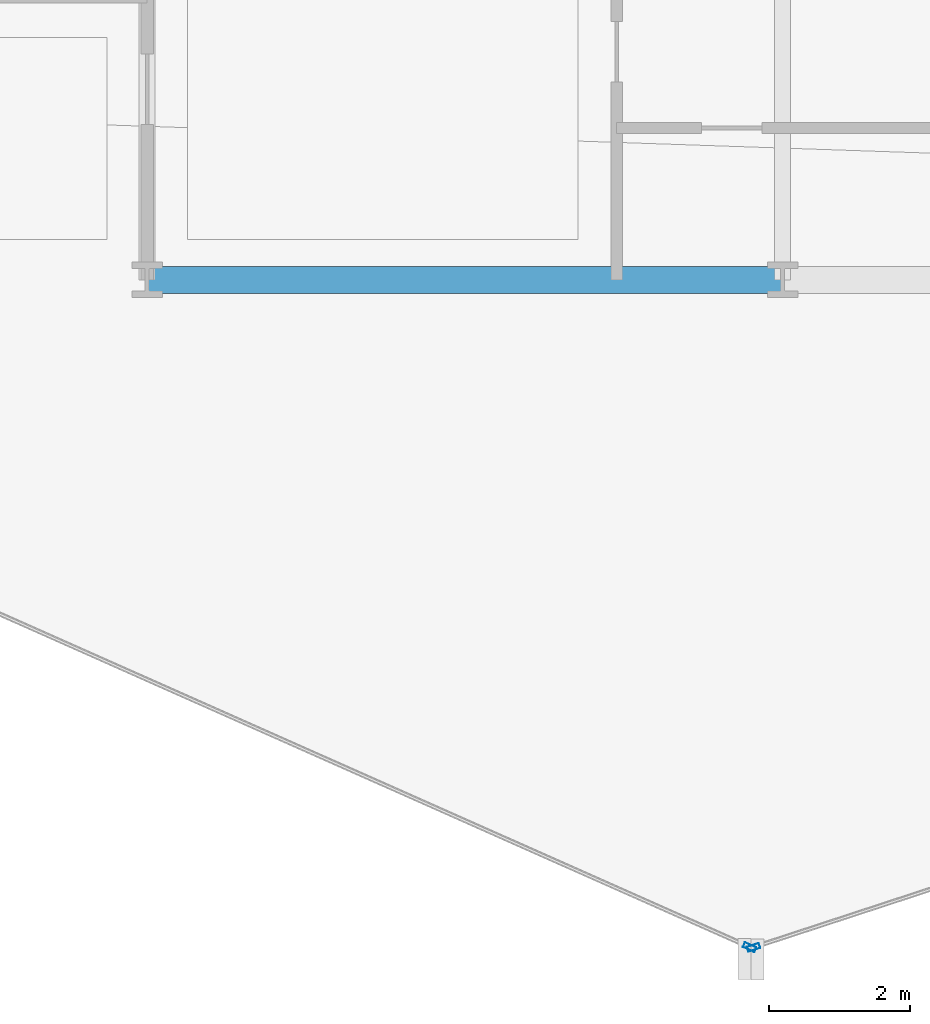
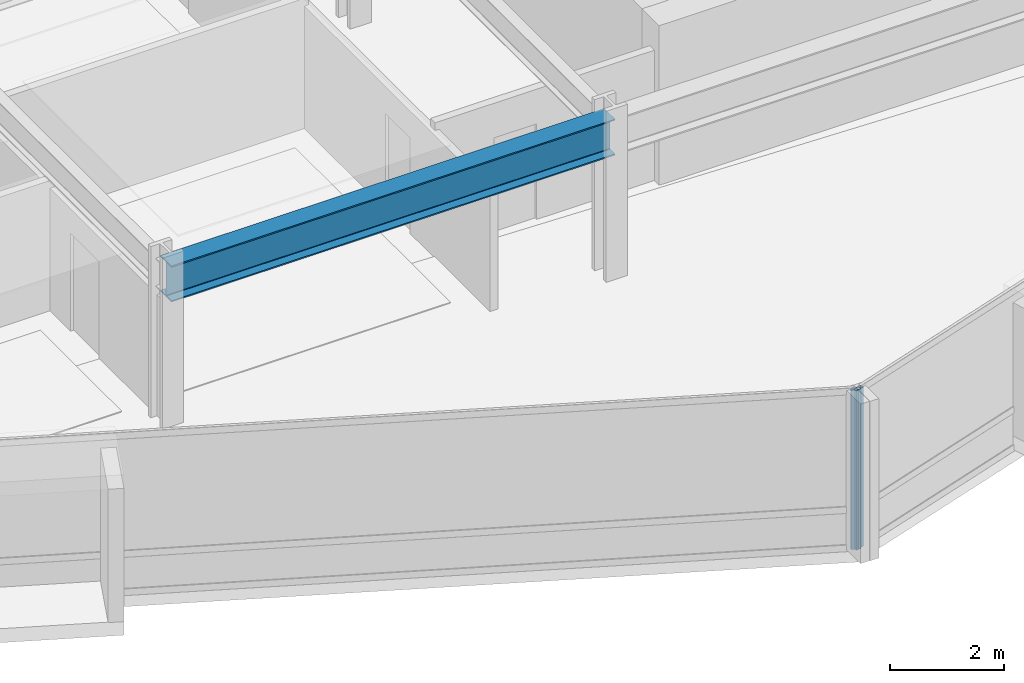
# One storey, part 4 of 34: 2 members, 1 beam, 2 elements without a shape of their own.
"""IFC4 building model written with IfcOpenShell, lengths in metres."""

from ifc_helpers import new_model, si_unit, direction, frame, origin, origin_2d, place, context, subcontext, project, spatial, hollow_rectangle, i_section, extrude, material, layer, layer_set, material_profile, profile_set, type_object, element, aggregate, save


model = new_model("IFC4")

# Units and contexts
model_context = context("Model", 3, precision=1e-05, world=origin(), true_north=direction((0.0, 1.0)))
body_context = subcontext(model_context, "Body", "Model", "MODEL_VIEW")
ifc_project = project(units=[si_unit("LENGTHUNIT", "METRE"), si_unit("AREAUNIT", "SQUARE_METRE"), si_unit("VOLUMEUNIT", "CUBIC_METRE"), si_unit("PLANEANGLEUNIT", "RADIAN"), si_unit("MASSUNIT", "GRAM", prefix="KILO")], contexts=[model_context])

# Site, building, storey
site_placement = place(None, origin())
site = spatial("IfcSite", under=ifc_project, at=site_placement, CompositionType="ELEMENT")
building_placement = place(site_placement, origin())
building = spatial("IfcBuilding", under=site, at=building_placement, Name="Solvaryn Broadcast Tower", CompositionType="ELEMENT")
storey_placement = place(building_placement, frame((0.0, 0.0, 61.89990234375)))
storey = spatial("IfcBuildingStorey", under=building, at=storey_placement, Name="L14", CompositionType="ELEMENT", Elevation=61.89990234375)

# Beam
ifc_material_1 = material(Name="Steel ASTM A992 Grade 50", Category="steel")
ifc_material_profile_1 = material_profile(ifc_material_1, i_section(OverallWidth=0.381103515625, OverallDepth=0.77294921875, WebThickness=0.0166015625, FlangeThickness=0.027099609375, FilletRadius=0.01806640625, at=origin_2d()))
ifc_profile_set_1 = profile_set([ifc_material_profile_1], Name="Steel ASTM A992 Grade 50")
beam_type = type_object("IfcBeamType", Name="BM-SP1-W30X173", PredefinedType="USERDEFINED", material=ifc_profile_set_1)
beam_placement = place(storey_placement, frame((18.0, 9.0, 3.03369140625), z_axis=(1.0, 0.0, 0.0), x_axis=(0.0, 1.0, 0.0)))
element("IfcBeam", 1, at=beam_placement, inside=storey, type_object=beam_type, Name="L14 Spandrel Beam X (18-27 @ Y=9)", ObjectType="SPANDREL", PredefinedType="USERDEFINED", context=body_context, shape_type="SweptSolid", body=[
    extrude(i_section(OverallWidth=0.381103515625, OverallDepth=0.77294921875, WebThickness=0.0166015625, FlangeThickness=0.027099609375, FilletRadius=0.01806640625, at=origin_2d()), origin(), (0.0, 0.0, 1.0), 9.0),
])

# Curtain wall, member
ifc_material_2 = material(Name="Aluminium and Terracotta Unitised Curtain Wall", Category="masonry")
ifc_layer = layer(ifc_material_2, 0.199951171875)
ifc_layer_set = layer_set([ifc_layer], Name="CW-SYS2-LOWMID")
curtain_wall_type = type_object("IfcCurtainWallType", Name="CW-SYS2-LOWMID", PredefinedType="NOTDEFINED", material=ifc_layer_set)
curtain_wall_1_placement = place(storey_placement, origin())
curtain_wall_1 = element("IfcCurtainWall", 2, at=curtain_wall_1_placement, inside=storey, type_object=curtain_wall_type, Name="L14 Curtain Wall DR3", PredefinedType="NOTDEFINED")
ifc_material_3 = material(Name="Anodised Aluminium 6063-T6", Category="aluminium")
ifc_material_profile_2 = material_profile(ifc_material_3, hollow_rectangle(XDim=0.074951171875, YDim=0.179931640625, WallThickness=0.00390625, InnerFilletRadius=0.00390625, OuterFilletRadius=0.008056640625, at=origin_2d()))
ifc_profile_set_2 = profile_set([ifc_material_profile_2], Name="Anodised Aluminium 6063-T6")
member_type = type_object("IfcMemberType", Name="CW-MUL-180", PredefinedType="MULLION", material=ifc_profile_set_2)
member_1_placement = place(storey_placement, frame((26.532470703125, -0.451904296875, 0.0), z_axis=(0.0, 0.0, 1.0), x_axis=(0.405898286554, 0.913918257271, 0.0)))
member_1 = element("IfcMember", 3, at=member_1_placement, type_object=member_type, Name="CWS2 mullion 2", PredefinedType="MULLION", context=body_context, shape_type="SweptSolid", body=[
    extrude(hollow_rectangle(XDim=0.074951171875, YDim=0.179931640625, WallThickness=0.00390625, InnerFilletRadius=0.00390625, OuterFilletRadius=0.008056640625, at=origin_2d()), origin(), (0.0, 0.0, 1.0), 3.420166015625),
])
aggregate(curtain_wall_1, [member_1])

curtain_wall_2_placement = place(storey_placement, origin())
curtain_wall_2 = element("IfcCurtainWall", 4, at=curtain_wall_2_placement, inside=storey, type_object=curtain_wall_type, Name="L14 Curtain Wall DR4", PredefinedType="NOTDEFINED")
member_2_placement = place(storey_placement, frame((26.588623046875, -0.45458984375, 0.0), z_axis=(0.0, 0.0, 1.0), x_axis=(-0.311594044587, 0.950215318429, 0.0)))
member_2 = element("IfcMember", 5, at=member_2_placement, type_object=member_type, Name="CWS2 mullion 1", PredefinedType="MULLION", context=body_context, shape_type="SweptSolid", body=[
    extrude(hollow_rectangle(XDim=0.074951171875, YDim=0.179931640625, WallThickness=0.00390625, InnerFilletRadius=0.00390625, OuterFilletRadius=0.008056640625, at=origin_2d()), origin(), (0.0, 0.0, 1.0), 3.420166015625),
])
aggregate(curtain_wall_2, [member_2])

save(model, "model.ifc")
